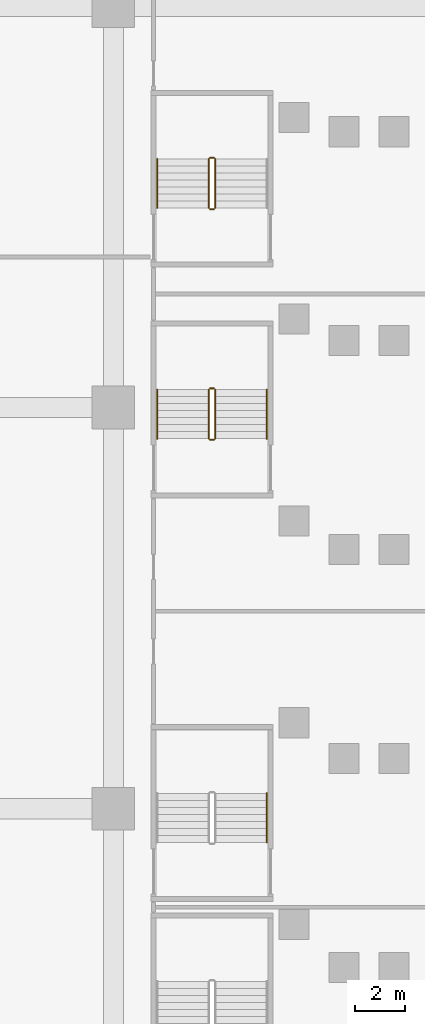
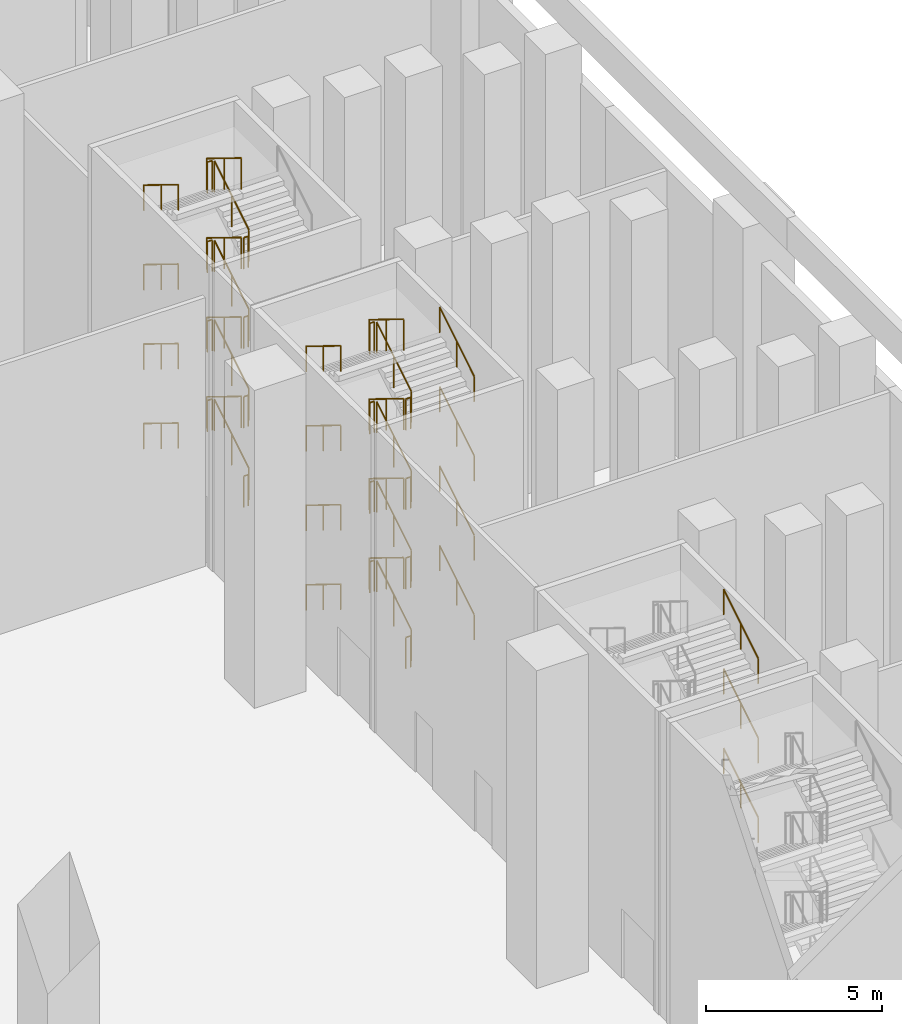
# One storey, part 28 of 31: 47 railings.
"""IFC4 building model written with IfcOpenShell, lengths in metres."""

import ifcopenshell
import ifcopenshell.guid

model = None  # the IFC model being written
_history = None  # IfcOwnerHistory: only IFC2X3 demands one
_inside = {}  # id of a spatial element -> (the spatial element, [elements in it])
_under = {}  # id of a project, library or spatial element -> (it, [spatial elements below it])
_declared = {}  # id of a project -> (the project, [libraries it declares])
_typed = {}  # id of a type object -> (the type object, [elements of that type])
_made_of = {}  # id of a material, layer set ... -> (it, [elements and type objects made of it])


def new_model(schema):
    """Start an empty IFC model of exactly this schema.

    Asked for "IFC4X3", IfcOpenShell would pick the latest addendum, in which some entities
    have other attributes; the version numbers below select the first issue.
    IFC2X3 requires an IfcOwnerHistory on every rooted entity: one is made here for all.
    """
    global model, _history
    if schema == "IFC4X3":
        model = ifcopenshell.file(schema_version=(4, 3, 0, 0))
    else:
        model = ifcopenshell.file(schema=schema)
    _inside.clear()
    _under.clear()
    _declared.clear()
    _typed.clear()
    _made_of.clear()
    _history = None
    if model.schema == "IFC2X3":
        org = make("IfcOrganization", Name="unknown")
        user = make(
            "IfcPersonAndOrganization",
            ThePerson=make("IfcPerson", FamilyName="unknown"),
            TheOrganization=org,
        )
        app = make(
            "IfcApplication",
            ApplicationDeveloper=org,
            Version="unknown",
            ApplicationFullName="unknown",
            ApplicationIdentifier="unknown",
        )
        _history = make(
            "IfcOwnerHistory",
            OwningUser=user,
            OwningApplication=app,
            ChangeAction="ADDED",
            CreationDate=0,
        )
    return model


def make(cls, **values):
    """One entity of the class cls with the attributes given. An attribute that is None is left unset."""
    return model.create_entity(
        cls, **{name: value for name, value in values.items() if value is not None}
    )


def rooted(cls, **values):
    """An entity with a GlobalId (a new one), such as an element, a storey or a relation."""
    return make(cls, GlobalId=ifcopenshell.guid.new(), OwnerHistory=_history, **values)


def si_unit(unit_type, name, prefix=None):
    """IfcSIUnit, for example si_unit("LENGTHUNIT", "METRE", prefix="MILLI")."""
    return make("IfcSIUnit", UnitType=unit_type, Prefix=prefix, Name=name)


def assignment(units):
    """IfcUnitAssignment: the units of a project."""
    return None if units is None else make("IfcUnitAssignment", Units=units)


def point(xyz):
    """IfcCartesianPoint."""
    return None if xyz is None else make("IfcCartesianPoint", Coordinates=xyz)


def direction(xyz):
    """IfcDirection."""
    return None if xyz is None else make("IfcDirection", DirectionRatios=xyz)


def frame(location, z_axis=None, x_axis=None):
    """IfcAxis2Placement3D, a coordinate frame: its origin and axes. An axis left out is left unset."""
    return make(
        "IfcAxis2Placement3D",
        Location=point(location),
        Axis=direction(z_axis),
        RefDirection=direction(x_axis),
    )


def frame_2d(location, x_axis=None):
    """IfcAxis2Placement2D, a coordinate frame in the plane: its origin and x axis."""
    return make(
        "IfcAxis2Placement2D", Location=point(location), RefDirection=direction(x_axis)
    )


def origin():
    """The frame at (0, 0, 0) with its axes left unset."""
    return frame((0.0, 0.0, 0.0))


def origin_2d():
    """The frame at (0, 0) in the plane with its x axis left unset."""
    return frame_2d((0.0, 0.0))


def place(relative_to, where):
    """IfcLocalPlacement: puts the frame where relative to a parent placement (None: the world)."""
    return make(
        "IfcLocalPlacement", PlacementRelTo=relative_to, RelativePlacement=where
    )


def context(
    kind, dimensions, precision=None, world=None, true_north=None, identifier=None
):
    """IfcGeometricRepresentationContext, for example the 3D "Model" context."""
    return make(
        "IfcGeometricRepresentationContext",
        ContextIdentifier=identifier,
        ContextType=kind,
        CoordinateSpaceDimension=dimensions,
        Precision=precision,
        WorldCoordinateSystem=world,
        TrueNorth=true_north,
    )


def subcontext(parent, identifier, kind, view, scale=None):
    """IfcGeometricRepresentationSubContext, for example "Body" below "Model"."""
    return make(
        "IfcGeometricRepresentationSubContext",
        ContextIdentifier=identifier,
        ContextType=kind,
        ParentContext=parent,
        TargetScale=scale,
        TargetView=view,
    )


def project(units=None, contexts=None):
    """IfcProject with its units and contexts."""
    return rooted(
        "IfcProject",
        Name="project",
        RepresentationContexts=contexts,
        UnitsInContext=assignment(units),
    )


def spatial(cls, under=None, at=None, **own):
    """A site, building, storey or space (cls), placed at a placement, below another one or the project."""
    s = rooted(cls, ObjectPlacement=at, **own)
    if under is not None:
        _under.setdefault(under.id(), (under, []))[1].append(s)
    return s


def profile(cls, at=None, kind="AREA", **sizes):
    """A parametric profile (cls). Its sizes go by their IFC names, for example OverallWidth=200.0."""
    return make(cls, ProfileType=kind, Position=at, **sizes)


def circle(**sizes):
    """IfcCircleProfileDef."""
    return profile("IfcCircleProfileDef", **sizes)


def extrude(swept, where, along, depth):
    """IfcExtrudedAreaSolid: the profile swept, set in the frame where, extruded along a direction by depth."""
    return make(
        "IfcExtrudedAreaSolid",
        SweptArea=swept,
        Position=where,
        ExtrudedDirection=direction(along),
        Depth=depth,
    )


def shape(context_of_items, identifier, shape_type, items):
    """IfcShapeRepresentation: the items that make up one representation, for example the "Body"."""
    return make(
        "IfcShapeRepresentation",
        ContextOfItems=context_of_items,
        RepresentationIdentifier=identifier,
        RepresentationType=shape_type,
        Items=items,
    )


def material(Name=None, Category=None):
    """IfcMaterial."""
    return make("IfcMaterial", Name=Name, Category=Category)


def made_of(thing, what):
    """Note that an element or type object is made of a material, layer set ...; save() writes the relation."""
    if what is not None:
        _made_of.setdefault(what.id(), (what, []))[1].append(thing)
    return thing


def type_object(cls, material=None, **own):
    """A type object (cls), such as IfcWallType, which elements share."""
    return made_of(rooted(cls, **own), material)


def element(
    cls,
    number,
    at=None,
    inside=None,
    cuts=None,
    type_object=None,
    material=None,
    context=None,
    identifier="Body",
    shape_type=None,
    held_by="IfcProductDefinitionShape",
    body=None,
    shapes=None,
    **own,
):
    """One element of the class cls, such as IfcWall. Its Tag is "e" and its number.

    at: its placement. inside: the storey or other place that contains it. cuts: it is an
    opening in that element (IfcRelVoidsElement). A single representation is given by context,
    identifier, shape_type and body (its items); several are given by shapes. held_by: the class
    of the entity that holds the representations. save() writes the other relations.
    """
    e = rooted(cls, Tag="e%d" % number, ObjectPlacement=at, **own)
    if body is not None:
        shapes = [shape(context, identifier, shape_type, body)]
    if shapes is not None:
        e.Representation = make(held_by, Representations=shapes)
    if inside is not None:
        _inside.setdefault(inside.id(), (inside, []))[1].append(e)
    if cuts is not None:
        rooted(
            "IfcRelVoidsElement", RelatingBuildingElement=cuts, RelatedOpeningElement=e
        )
    if type_object is not None:
        _typed.setdefault(type_object.id(), (type_object, []))[1].append(e)
    return made_of(e, material)


def aggregate(whole, parts):
    """IfcRelAggregates: a whole, such as a stair, and the parts it consists of."""
    return rooted("IfcRelAggregates", RelatingObject=whole, RelatedObjects=parts)


def save(model, path):
    """Write the relations noted so far, then the file.

    IfcRelAggregates (storeys below a building ...), IfcRelContainedInSpatialStructure (elements
    in a storey), IfcRelDefinesByType, IfcRelAssociatesMaterial and IfcRelDeclares: one each for
    every whole, place, type object, material and project.
    """
    for whole, parts in _under.values():
        aggregate(whole, parts)
    for where, things in _inside.values():
        rooted(
            "IfcRelContainedInSpatialStructure",
            RelatedElements=things,
            RelatingStructure=where,
        )
    for kind, things in _typed.values():
        rooted("IfcRelDefinesByType", RelatedObjects=things, RelatingType=kind)
    for what, things in _made_of.values():
        rooted("IfcRelAssociatesMaterial", RelatedObjects=things, RelatingMaterial=what)
    for by, libraries in _declared.values():
        rooted("IfcRelDeclares", RelatingContext=by, RelatedDefinitions=libraries)
    model.write(path)


model = new_model("IFC4")

# Units and contexts
model_context = context("Model", 3, precision=1e-05, world=origin(), true_north=direction((0.0, 1.0)))
body_context = subcontext(model_context, "Body", "Model", "MODEL_VIEW")
ifc_project = project(units=[si_unit("LENGTHUNIT", "METRE"), si_unit("AREAUNIT", "SQUARE_METRE"), si_unit("VOLUMEUNIT", "CUBIC_METRE"), si_unit("PLANEANGLEUNIT", "RADIAN"), si_unit("MASSUNIT", "GRAM", prefix="KILO")], contexts=[model_context])

# Site, building, storey
site_placement = place(None, origin())
site = spatial("IfcSite", under=ifc_project, at=site_placement, CompositionType="ELEMENT")
building_placement = place(site_placement, origin())
building = spatial("IfcBuilding", under=site, at=building_placement, Name="Calabash Gate Tower", CompositionType="ELEMENT")
storey_placement = place(building_placement, frame((0.0, 0.0, 9.0)))
storey = spatial("IfcBuildingStorey", under=building, at=storey_placement, Name="L01", CompositionType="ELEMENT", Elevation=9.0)

# Railings
ifc_material_1 = material(Name="Black powder-coated steel balusters", Category="steel")
railing_type_1 = type_object("IfcRailingType", Name="Stair guard RL1100", PredefinedType="GUARDRAIL", material=ifc_material_1)
railing_1_placement = place(storey_placement, frame((36.06005859375, -9.239990234375, 0.171875)))
element("IfcRailing", 1, at=railing_1_placement, inside=storey, type_object=railing_type_1, Name="L01 PS8 stair guard 1", PredefinedType="GUARDRAIL", context=body_context, shape_type="SweptSolid", body=[
    extrude(circle(Radius=0.02392578125, at=origin_2d()), frame((0.0, 0.0, 1.076171875), z_axis=(0.0, 0.851395084437, 0.52452493763), x_axis=(-1.0, 0.0, 0.0)), (0.0, 0.0, 1.0), 2.293701171875),
    extrude(circle(Radius=0.02099609375, at=origin_2d()), origin(), (0.0, 0.0, 1.0), 1.052001953125),
    extrude(circle(Radius=0.02099609375, at=origin_2d()), frame((0.0, 0.9765625, 0.6015625)), (0.0, 0.0, 1.0), 1.052001953125),
    extrude(circle(Radius=0.02099609375, at=origin_2d()), frame((0.0, 1.952880859375, 1.203125)), (0.0, 0.0, 1.0), 1.052001953125),
])
railing_2_placement = place(storey_placement, frame((36.010009765625, -7.237060546875, 1.375)))
element("IfcRailing", 2, at=railing_2_placement, inside=storey, type_object=railing_type_1, Name="L01 PS8 stair guard 2", PredefinedType="GUARDRAIL", context=body_context, shape_type="SweptSolid", body=[
    extrude(circle(Radius=0.02392578125, at=origin_2d()), frame((0.0, 0.0, 1.076171875), z_axis=(-1.0, 0.0, 0.0), x_axis=(0.0, -1.0, 0.0)), (0.0, 0.0, 1.0), 0.14990234375),
    extrude(circle(Radius=0.02099609375, at=origin_2d()), origin(), (0.0, 0.0, 1.0), 1.052001953125),
    extrude(circle(Radius=0.02099609375, at=origin_2d()), frame((-0.14990234375, 0.0, 0.0)), (0.0, 0.0, 1.0), 1.052001953125),
])
railing_3_placement = place(storey_placement, frame((35.81005859375, -7.287109375, 1.546875)))
element("IfcRailing", 3, at=railing_3_placement, inside=storey, type_object=railing_type_1, Name="L01 PS8 stair guard 3", PredefinedType="GUARDRAIL", context=body_context, shape_type="SweptSolid", body=[
    extrude(circle(Radius=0.02392578125, at=origin_2d()), frame((0.0, 0.0, 1.076171875), z_axis=(0.0, -0.851395084437, 0.52452493763), x_axis=(1.0, 0.0, 0.0)), (0.0, 0.0, 1.0), 2.293701171875),
    extrude(circle(Radius=0.02099609375, at=origin_2d()), origin(), (0.0, 0.0, 1.0), 1.052001953125),
    extrude(circle(Radius=0.02099609375, at=origin_2d()), frame((0.0, -0.9765625, 0.6015625)), (0.0, 0.0, 1.0), 1.052001953125),
    extrude(circle(Radius=0.02099609375, at=origin_2d()), frame((0.0, -1.952880859375, 1.203125)), (0.0, 0.0, 1.0), 1.052001953125),
])
railing_4_placement = place(storey_placement, frame((36.010009765625, -9.2900390625, 2.75)))
element("IfcRailing", 4, at=railing_4_placement, inside=storey, type_object=railing_type_1, Name="L01 PS8 stair guard 4", PredefinedType="GUARDRAIL", context=body_context, shape_type="SweptSolid", body=[
    extrude(circle(Radius=0.02392578125, at=origin_2d()), frame((0.0, 0.0, 1.076171875), z_axis=(-1.0, 0.0, 0.0), x_axis=(0.0, -1.0, 0.0)), (0.0, 0.0, 1.0), 0.14990234375),
    extrude(circle(Radius=0.02099609375, at=origin_2d()), origin(), (0.0, 0.0, 1.0), 1.052001953125),
    extrude(circle(Radius=0.02099609375, at=origin_2d()), frame((-0.14990234375, 0.0, 0.0)), (0.0, 0.0, 1.0), 1.052001953125),
])
railing_5_placement = place(storey_placement, frame((36.06005859375, -9.239990234375, 2.921875)))
element("IfcRailing", 5, at=railing_5_placement, inside=storey, type_object=railing_type_1, Name="L01 PS8 stair guard 5", PredefinedType="GUARDRAIL", context=body_context, shape_type="SweptSolid", body=[
    extrude(circle(Radius=0.02392578125, at=origin_2d()), frame((0.0, 0.0, 1.076171875), z_axis=(0.0, 0.851395084437, 0.52452493763), x_axis=(-1.0, 0.0, 0.0)), (0.0, 0.0, 1.0), 2.293701171875),
    extrude(circle(Radius=0.02099609375, at=origin_2d()), origin(), (0.0, 0.0, 1.0), 1.052001953125),
    extrude(circle(Radius=0.02099609375, at=origin_2d()), frame((0.0, 0.9765625, 0.6015625)), (0.0, 0.0, 1.0), 1.052001953125),
    extrude(circle(Radius=0.02099609375, at=origin_2d()), frame((0.0, 1.952880859375, 1.203125)), (0.0, 0.0, 1.0), 1.052001953125),
])
railing_6_placement = place(storey_placement, frame((36.010009765625, -7.237060546875, 4.125)))
element("IfcRailing", 6, at=railing_6_placement, inside=storey, type_object=railing_type_1, Name="L01 PS8 stair guard 6", PredefinedType="GUARDRAIL", context=body_context, shape_type="SweptSolid", body=[
    extrude(circle(Radius=0.02392578125, at=origin_2d()), frame((0.0, 0.0, 1.076171875), z_axis=(-1.0, 0.0, 0.0), x_axis=(0.0, -1.0, 0.0)), (0.0, 0.0, 1.0), 0.14990234375),
    extrude(circle(Radius=0.02099609375, at=origin_2d()), origin(), (0.0, 0.0, 1.0), 1.052001953125),
    extrude(circle(Radius=0.02099609375, at=origin_2d()), frame((-0.14990234375, 0.0, 0.0)), (0.0, 0.0, 1.0), 1.052001953125),
])
railing_7_placement = place(storey_placement, frame((35.81005859375, -7.287109375, 4.296875)))
element("IfcRailing", 7, at=railing_7_placement, inside=storey, type_object=railing_type_1, Name="L01 PS8 stair guard 7", PredefinedType="GUARDRAIL", context=body_context, shape_type="SweptSolid", body=[
    extrude(circle(Radius=0.02392578125, at=origin_2d()), frame((0.0, 0.0, 1.076171875), z_axis=(0.0, -0.851395084437, 0.52452493763), x_axis=(1.0, 0.0, 0.0)), (0.0, 0.0, 1.0), 2.293701171875),
    extrude(circle(Radius=0.02099609375, at=origin_2d()), origin(), (0.0, 0.0, 1.0), 1.052001953125),
    extrude(circle(Radius=0.02099609375, at=origin_2d()), frame((0.0, -0.9765625, 0.6015625)), (0.0, 0.0, 1.0), 1.052001953125),
    extrude(circle(Radius=0.02099609375, at=origin_2d()), frame((0.0, -1.952880859375, 1.203125)), (0.0, 0.0, 1.0), 1.052001953125),
])
railing_8_placement = place(storey_placement, frame((36.010009765625, -9.2900390625, 5.5)))
element("IfcRailing", 8, at=railing_8_placement, inside=storey, type_object=railing_type_1, Name="L01 PS8 stair guard 8", PredefinedType="GUARDRAIL", context=body_context, shape_type="SweptSolid", body=[
    extrude(circle(Radius=0.02392578125, at=origin_2d()), frame((0.0, 0.0, 1.076171875), z_axis=(-1.0, 0.0, 0.0), x_axis=(0.0, -1.0, 0.0)), (0.0, 0.0, 1.0), 0.14990234375),
    extrude(circle(Radius=0.02099609375, at=origin_2d()), origin(), (0.0, 0.0, 1.0), 1.052001953125),
    extrude(circle(Radius=0.02099609375, at=origin_2d()), frame((-0.14990234375, 0.0, 0.0)), (0.0, 0.0, 1.0), 1.052001953125),
])
railing_9_placement = place(storey_placement, frame((36.06005859375, -9.239990234375, 5.671875)))
element("IfcRailing", 9, at=railing_9_placement, inside=storey, type_object=railing_type_1, Name="L01 PS8 stair guard 9", PredefinedType="GUARDRAIL", context=body_context, shape_type="SweptSolid", body=[
    extrude(circle(Radius=0.02392578125, at=origin_2d()), frame((0.0, 0.0, 1.076171875), z_axis=(0.0, 0.851395084437, 0.52452493763), x_axis=(-1.0, 0.0, 0.0)), (0.0, 0.0, 1.0), 2.293701171875),
    extrude(circle(Radius=0.02099609375, at=origin_2d()), origin(), (0.0, 0.0, 1.0), 1.052001953125),
    extrude(circle(Radius=0.02099609375, at=origin_2d()), frame((0.0, 0.9765625, 0.6015625)), (0.0, 0.0, 1.0), 1.052001953125),
    extrude(circle(Radius=0.02099609375, at=origin_2d()), frame((0.0, 1.952880859375, 1.203125)), (0.0, 0.0, 1.0), 1.052001953125),
])
railing_10_placement = place(storey_placement, frame((36.010009765625, -7.237060546875, 6.875)))
element("IfcRailing", 10, at=railing_10_placement, inside=storey, type_object=railing_type_1, Name="L01 PS8 stair guard 10", PredefinedType="GUARDRAIL", context=body_context, shape_type="SweptSolid", body=[
    extrude(circle(Radius=0.02392578125, at=origin_2d()), frame((0.0, 0.0, 1.076171875), z_axis=(-1.0, 0.0, 0.0), x_axis=(0.0, -1.0, 0.0)), (0.0, 0.0, 1.0), 0.14990234375),
    extrude(circle(Radius=0.02099609375, at=origin_2d()), origin(), (0.0, 0.0, 1.0), 1.052001953125),
    extrude(circle(Radius=0.02099609375, at=origin_2d()), frame((-0.14990234375, 0.0, 0.0)), (0.0, 0.0, 1.0), 1.052001953125),
])
railing_11_placement = place(storey_placement, frame((35.81005859375, -7.287109375, 7.046875)))
element("IfcRailing", 11, at=railing_11_placement, inside=storey, type_object=railing_type_1, Name="L01 PS8 stair guard 11", PredefinedType="GUARDRAIL", context=body_context, shape_type="SweptSolid", body=[
    extrude(circle(Radius=0.02392578125, at=origin_2d()), frame((0.0, 0.0, 1.076171875), z_axis=(0.0, -0.851395084437, 0.52452493763), x_axis=(1.0, 0.0, 0.0)), (0.0, 0.0, 1.0), 2.293701171875),
    extrude(circle(Radius=0.02099609375, at=origin_2d()), origin(), (0.0, 0.0, 1.0), 1.052001953125),
    extrude(circle(Radius=0.02099609375, at=origin_2d()), frame((0.0, -0.9765625, 0.6015625)), (0.0, 0.0, 1.0), 1.052001953125),
    extrude(circle(Radius=0.02099609375, at=origin_2d()), frame((0.0, -1.952880859375, 1.203125)), (0.0, 0.0, 1.0), 1.052001953125),
])
railing_12_placement = place(storey_placement, frame((36.010009765625, -9.2900390625, 8.25)))
element("IfcRailing", 12, at=railing_12_placement, inside=storey, type_object=railing_type_1, Name="L01 PS8 stair guard 12", PredefinedType="GUARDRAIL", context=body_context, shape_type="SweptSolid", body=[
    extrude(circle(Radius=0.02392578125, at=origin_2d()), frame((0.0, 0.0, 1.076171875), z_axis=(-1.0, 0.0, 0.0), x_axis=(0.0, -1.0, 0.0)), (0.0, 0.0, 1.0), 0.14990234375),
    extrude(circle(Radius=0.02099609375, at=origin_2d()), origin(), (0.0, 0.0, 1.0), 1.052001953125),
    extrude(circle(Radius=0.02099609375, at=origin_2d()), frame((-0.14990234375, 0.0, 0.0)), (0.0, 0.0, 1.0), 1.052001953125),
])
railing_13_placement = place(storey_placement, frame((36.06005859375, -9.239990234375, 8.421875)))
element("IfcRailing", 13, at=railing_13_placement, inside=storey, type_object=railing_type_1, Name="L01 PS8 stair guard 13", PredefinedType="GUARDRAIL", context=body_context, shape_type="SweptSolid", body=[
    extrude(circle(Radius=0.02392578125, at=origin_2d()), frame((0.0, 0.0, 1.076171875), z_axis=(0.0, 0.851395084437, 0.52452493763), x_axis=(-1.0, 0.0, 0.0)), (0.0, 0.0, 1.0), 2.293701171875),
    extrude(circle(Radius=0.02099609375, at=origin_2d()), origin(), (0.0, 0.0, 1.0), 1.052001953125),
    extrude(circle(Radius=0.02099609375, at=origin_2d()), frame((0.0, 0.9765625, 0.6015625)), (0.0, 0.0, 1.0), 1.052001953125),
    extrude(circle(Radius=0.02099609375, at=origin_2d()), frame((0.0, 1.952880859375, 1.203125)), (0.0, 0.0, 1.0), 1.052001953125),
])
railing_14_placement = place(storey_placement, frame((36.010009765625, -7.237060546875, 9.625)))
element("IfcRailing", 14, at=railing_14_placement, inside=storey, type_object=railing_type_1, Name="L01 PS8 stair guard 14", PredefinedType="GUARDRAIL", context=body_context, shape_type="SweptSolid", body=[
    extrude(circle(Radius=0.02392578125, at=origin_2d()), frame((0.0, 0.0, 1.076171875), z_axis=(-1.0, 0.0, 0.0), x_axis=(0.0, -1.0, 0.0)), (0.0, 0.0, 1.0), 0.14990234375),
    extrude(circle(Radius=0.02099609375, at=origin_2d()), origin(), (0.0, 0.0, 1.0), 1.052001953125),
    extrude(circle(Radius=0.02099609375, at=origin_2d()), frame((-0.14990234375, 0.0, 0.0)), (0.0, 0.0, 1.0), 1.052001953125),
])
railing_15_placement = place(storey_placement, frame((35.81005859375, -7.287109375, 9.796875)))
element("IfcRailing", 15, at=railing_15_placement, inside=storey, type_object=railing_type_1, Name="L01 PS8 stair guard 15", PredefinedType="GUARDRAIL", context=body_context, shape_type="SweptSolid", body=[
    extrude(circle(Radius=0.02392578125, at=origin_2d()), frame((0.0, 0.0, 1.076171875), z_axis=(0.0, -0.851395084437, 0.52452493763), x_axis=(1.0, 0.0, 0.0)), (0.0, 0.0, 1.0), 2.293701171875),
    extrude(circle(Radius=0.02099609375, at=origin_2d()), origin(), (0.0, 0.0, 1.0), 1.052001953125),
    extrude(circle(Radius=0.02099609375, at=origin_2d()), frame((0.0, -0.9765625, 0.6015625)), (0.0, 0.0, 1.0), 1.052001953125),
    extrude(circle(Radius=0.02099609375, at=origin_2d()), frame((0.0, -1.952880859375, 1.203125)), (0.0, 0.0, 1.0), 1.052001953125),
])
railing_16_placement = place(storey_placement, frame((36.010009765625, -9.2900390625, 0.0)))
element("IfcRailing", 16, at=railing_16_placement, inside=storey, type_object=railing_type_1, Name="L01 PS8 stair guard 16", PredefinedType="GUARDRAIL", context=body_context, shape_type="SweptSolid", body=[
    extrude(circle(Radius=0.02392578125, at=origin_2d()), frame((0.0, 0.0, 1.076171875), z_axis=(-1.0, 0.0, 0.0), x_axis=(0.0, -1.0, 0.0)), (0.0, 0.0, 1.0), 0.14990234375),
    extrude(circle(Radius=0.02099609375, at=origin_2d()), origin(), (0.0, 0.0, 1.0), 1.052001953125),
    extrude(circle(Radius=0.02099609375, at=origin_2d()), frame((-0.14990234375, 0.0, 0.0)), (0.0, 0.0, 1.0), 1.052001953125),
])
railing_17_placement = place(storey_placement, frame((36.06005859375, -0.0400390625, 0.171875)))
element("IfcRailing", 17, at=railing_17_placement, inside=storey, type_object=railing_type_1, Name="L01 PS9 stair guard 1", PredefinedType="GUARDRAIL", context=body_context, shape_type="SweptSolid", body=[
    extrude(circle(Radius=0.02392578125, at=origin_2d()), frame((0.0, 0.0, 1.076171875), z_axis=(0.0, 0.851424364277, 0.524477408394), x_axis=(-1.0, 0.0, 0.0)), (0.0, 0.0, 1.0), 2.2939453125),
    extrude(circle(Radius=0.02099609375, at=origin_2d()), origin(), (0.0, 0.0, 1.0), 1.052001953125),
    extrude(circle(Radius=0.02099609375, at=origin_2d()), frame((0.0, 0.9765625, 0.6015625)), (0.0, 0.0, 1.0), 1.052001953125),
    extrude(circle(Radius=0.02099609375, at=origin_2d()), frame((0.0, 1.953125, 1.203125)), (0.0, 0.0, 1.0), 1.052001953125),
])
railing_18_placement = place(storey_placement, frame((36.010009765625, 1.962890625, 1.375)))
element("IfcRailing", 18, at=railing_18_placement, inside=storey, type_object=railing_type_1, Name="L01 PS9 stair guard 2", PredefinedType="GUARDRAIL", context=body_context, shape_type="SweptSolid", body=[
    extrude(circle(Radius=0.02392578125, at=origin_2d()), frame((0.0, 0.0, 1.076171875), z_axis=(-1.0, 0.0, 0.0), x_axis=(0.0, -1.0, 0.0)), (0.0, 0.0, 1.0), 0.14990234375),
    extrude(circle(Radius=0.02099609375, at=origin_2d()), origin(), (0.0, 0.0, 1.0), 1.052001953125),
    extrude(circle(Radius=0.02099609375, at=origin_2d()), frame((-0.14990234375, 0.0, 0.0)), (0.0, 0.0, 1.0), 1.052001953125),
])
railing_19_placement = place(storey_placement, frame((35.81005859375, 1.9130859375, 1.546875)))
element("IfcRailing", 19, at=railing_19_placement, inside=storey, type_object=railing_type_1, Name="L01 PS9 stair guard 3", PredefinedType="GUARDRAIL", context=body_context, shape_type="SweptSolid", body=[
    extrude(circle(Radius=0.02392578125, at=origin_2d()), frame((0.0, 0.0, 1.076171875), z_axis=(0.0, -0.851424364277, 0.524477408394), x_axis=(1.0, 0.0, 0.0)), (0.0, 0.0, 1.0), 2.2939453125),
    extrude(circle(Radius=0.02099609375, at=origin_2d()), origin(), (0.0, 0.0, 1.0), 1.052001953125),
    extrude(circle(Radius=0.02099609375, at=origin_2d()), frame((0.0, -0.9765625, 0.6015625)), (0.0, 0.0, 1.0), 1.052001953125),
    extrude(circle(Radius=0.02099609375, at=origin_2d()), frame((0.0, -1.953125, 1.203125)), (0.0, 0.0, 1.0), 1.052001953125),
])
railing_20_placement = place(storey_placement, frame((36.010009765625, -0.090087890625, 2.75)))
element("IfcRailing", 20, at=railing_20_placement, inside=storey, type_object=railing_type_1, Name="L01 PS9 stair guard 4", PredefinedType="GUARDRAIL", context=body_context, shape_type="SweptSolid", body=[
    extrude(circle(Radius=0.02392578125, at=origin_2d()), frame((0.0, 0.0, 1.076171875), z_axis=(-1.0, 0.0, 0.0), x_axis=(0.0, -1.0, 0.0)), (0.0, 0.0, 1.0), 0.14990234375),
    extrude(circle(Radius=0.02099609375, at=origin_2d()), origin(), (0.0, 0.0, 1.0), 1.052001953125),
    extrude(circle(Radius=0.02099609375, at=origin_2d()), frame((-0.14990234375, 0.0, 0.0)), (0.0, 0.0, 1.0), 1.052001953125),
])
railing_21_placement = place(storey_placement, frame((36.06005859375, -0.0400390625, 2.921875)))
element("IfcRailing", 21, at=railing_21_placement, inside=storey, type_object=railing_type_1, Name="L01 PS9 stair guard 5", PredefinedType="GUARDRAIL", context=body_context, shape_type="SweptSolid", body=[
    extrude(circle(Radius=0.02392578125, at=origin_2d()), frame((0.0, 0.0, 1.076171875), z_axis=(0.0, 0.851424364277, 0.524477408394), x_axis=(-1.0, 0.0, 0.0)), (0.0, 0.0, 1.0), 2.2939453125),
    extrude(circle(Radius=0.02099609375, at=origin_2d()), origin(), (0.0, 0.0, 1.0), 1.052001953125),
    extrude(circle(Radius=0.02099609375, at=origin_2d()), frame((0.0, 0.9765625, 0.6015625)), (0.0, 0.0, 1.0), 1.052001953125),
    extrude(circle(Radius=0.02099609375, at=origin_2d()), frame((0.0, 1.953125, 1.203125)), (0.0, 0.0, 1.0), 1.052001953125),
])
railing_22_placement = place(storey_placement, frame((36.010009765625, 1.962890625, 4.125)))
element("IfcRailing", 22, at=railing_22_placement, inside=storey, type_object=railing_type_1, Name="L01 PS9 stair guard 6", PredefinedType="GUARDRAIL", context=body_context, shape_type="SweptSolid", body=[
    extrude(circle(Radius=0.02392578125, at=origin_2d()), frame((0.0, 0.0, 1.076171875), z_axis=(-1.0, 0.0, 0.0), x_axis=(0.0, -1.0, 0.0)), (0.0, 0.0, 1.0), 0.14990234375),
    extrude(circle(Radius=0.02099609375, at=origin_2d()), origin(), (0.0, 0.0, 1.0), 1.052001953125),
    extrude(circle(Radius=0.02099609375, at=origin_2d()), frame((-0.14990234375, 0.0, 0.0)), (0.0, 0.0, 1.0), 1.052001953125),
])
railing_23_placement = place(storey_placement, frame((35.81005859375, 1.9130859375, 4.296875)))
element("IfcRailing", 23, at=railing_23_placement, inside=storey, type_object=railing_type_1, Name="L01 PS9 stair guard 7", PredefinedType="GUARDRAIL", context=body_context, shape_type="SweptSolid", body=[
    extrude(circle(Radius=0.02392578125, at=origin_2d()), frame((0.0, 0.0, 1.076171875), z_axis=(0.0, -0.851424364277, 0.524477408394), x_axis=(1.0, 0.0, 0.0)), (0.0, 0.0, 1.0), 2.2939453125),
    extrude(circle(Radius=0.02099609375, at=origin_2d()), origin(), (0.0, 0.0, 1.0), 1.052001953125),
    extrude(circle(Radius=0.02099609375, at=origin_2d()), frame((0.0, -0.9765625, 0.6015625)), (0.0, 0.0, 1.0), 1.052001953125),
    extrude(circle(Radius=0.02099609375, at=origin_2d()), frame((0.0, -1.953125, 1.203125)), (0.0, 0.0, 1.0), 1.052001953125),
])
railing_24_placement = place(storey_placement, frame((36.010009765625, -0.090087890625, 5.5)))
element("IfcRailing", 24, at=railing_24_placement, inside=storey, type_object=railing_type_1, Name="L01 PS9 stair guard 8", PredefinedType="GUARDRAIL", context=body_context, shape_type="SweptSolid", body=[
    extrude(circle(Radius=0.02392578125, at=origin_2d()), frame((0.0, 0.0, 1.076171875), z_axis=(-1.0, 0.0, 0.0), x_axis=(0.0, -1.0, 0.0)), (0.0, 0.0, 1.0), 0.14990234375),
    extrude(circle(Radius=0.02099609375, at=origin_2d()), origin(), (0.0, 0.0, 1.0), 1.052001953125),
    extrude(circle(Radius=0.02099609375, at=origin_2d()), frame((-0.14990234375, 0.0, 0.0)), (0.0, 0.0, 1.0), 1.052001953125),
])
railing_25_placement = place(storey_placement, frame((36.06005859375, -0.0400390625, 5.671875)))
element("IfcRailing", 25, at=railing_25_placement, inside=storey, type_object=railing_type_1, Name="L01 PS9 stair guard 9", PredefinedType="GUARDRAIL", context=body_context, shape_type="SweptSolid", body=[
    extrude(circle(Radius=0.02392578125, at=origin_2d()), frame((0.0, 0.0, 1.076171875), z_axis=(0.0, 0.851424364277, 0.524477408394), x_axis=(-1.0, 0.0, 0.0)), (0.0, 0.0, 1.0), 2.2939453125),
    extrude(circle(Radius=0.02099609375, at=origin_2d()), origin(), (0.0, 0.0, 1.0), 1.052001953125),
    extrude(circle(Radius=0.02099609375, at=origin_2d()), frame((0.0, 0.9765625, 0.6015625)), (0.0, 0.0, 1.0), 1.052001953125),
    extrude(circle(Radius=0.02099609375, at=origin_2d()), frame((0.0, 1.953125, 1.203125)), (0.0, 0.0, 1.0), 1.052001953125),
])
railing_26_placement = place(storey_placement, frame((36.010009765625, 1.962890625, 6.875)))
element("IfcRailing", 26, at=railing_26_placement, inside=storey, type_object=railing_type_1, Name="L01 PS9 stair guard 10", PredefinedType="GUARDRAIL", context=body_context, shape_type="SweptSolid", body=[
    extrude(circle(Radius=0.02392578125, at=origin_2d()), frame((0.0, 0.0, 1.076171875), z_axis=(-1.0, 0.0, 0.0), x_axis=(0.0, -1.0, 0.0)), (0.0, 0.0, 1.0), 0.14990234375),
    extrude(circle(Radius=0.02099609375, at=origin_2d()), origin(), (0.0, 0.0, 1.0), 1.052001953125),
    extrude(circle(Radius=0.02099609375, at=origin_2d()), frame((-0.14990234375, 0.0, 0.0)), (0.0, 0.0, 1.0), 1.052001953125),
])
railing_27_placement = place(storey_placement, frame((35.81005859375, 1.9130859375, 7.046875)))
element("IfcRailing", 27, at=railing_27_placement, inside=storey, type_object=railing_type_1, Name="L01 PS9 stair guard 11", PredefinedType="GUARDRAIL", context=body_context, shape_type="SweptSolid", body=[
    extrude(circle(Radius=0.02392578125, at=origin_2d()), frame((0.0, 0.0, 1.076171875), z_axis=(0.0, -0.851424364277, 0.524477408394), x_axis=(1.0, 0.0, 0.0)), (0.0, 0.0, 1.0), 2.2939453125),
    extrude(circle(Radius=0.02099609375, at=origin_2d()), origin(), (0.0, 0.0, 1.0), 1.052001953125),
    extrude(circle(Radius=0.02099609375, at=origin_2d()), frame((0.0, -0.9765625, 0.6015625)), (0.0, 0.0, 1.0), 1.052001953125),
    extrude(circle(Radius=0.02099609375, at=origin_2d()), frame((0.0, -1.953125, 1.203125)), (0.0, 0.0, 1.0), 1.052001953125),
])
railing_28_placement = place(storey_placement, frame((36.010009765625, -0.090087890625, 8.25)))
element("IfcRailing", 28, at=railing_28_placement, inside=storey, type_object=railing_type_1, Name="L01 PS9 stair guard 12", PredefinedType="GUARDRAIL", context=body_context, shape_type="SweptSolid", body=[
    extrude(circle(Radius=0.02392578125, at=origin_2d()), frame((0.0, 0.0, 1.076171875), z_axis=(-1.0, 0.0, 0.0), x_axis=(0.0, -1.0, 0.0)), (0.0, 0.0, 1.0), 0.14990234375),
    extrude(circle(Radius=0.02099609375, at=origin_2d()), origin(), (0.0, 0.0, 1.0), 1.052001953125),
    extrude(circle(Radius=0.02099609375, at=origin_2d()), frame((-0.14990234375, 0.0, 0.0)), (0.0, 0.0, 1.0), 1.052001953125),
])
railing_29_placement = place(storey_placement, frame((36.06005859375, -0.0400390625, 8.421875)))
element("IfcRailing", 29, at=railing_29_placement, inside=storey, type_object=railing_type_1, Name="L01 PS9 stair guard 13", PredefinedType="GUARDRAIL", context=body_context, shape_type="SweptSolid", body=[
    extrude(circle(Radius=0.02392578125, at=origin_2d()), frame((0.0, 0.0, 1.076171875), z_axis=(0.0, 0.851424364277, 0.524477408394), x_axis=(-1.0, 0.0, 0.0)), (0.0, 0.0, 1.0), 2.2939453125),
    extrude(circle(Radius=0.02099609375, at=origin_2d()), origin(), (0.0, 0.0, 1.0), 1.052001953125),
    extrude(circle(Radius=0.02099609375, at=origin_2d()), frame((0.0, 0.9765625, 0.6015625)), (0.0, 0.0, 1.0), 1.052001953125),
    extrude(circle(Radius=0.02099609375, at=origin_2d()), frame((0.0, 1.953125, 1.203125)), (0.0, 0.0, 1.0), 1.052001953125),
])
railing_30_placement = place(storey_placement, frame((36.010009765625, 1.962890625, 9.625)))
element("IfcRailing", 30, at=railing_30_placement, inside=storey, type_object=railing_type_1, Name="L01 PS9 stair guard 14", PredefinedType="GUARDRAIL", context=body_context, shape_type="SweptSolid", body=[
    extrude(circle(Radius=0.02392578125, at=origin_2d()), frame((0.0, 0.0, 1.076171875), z_axis=(-1.0, 0.0, 0.0), x_axis=(0.0, -1.0, 0.0)), (0.0, 0.0, 1.0), 0.14990234375),
    extrude(circle(Radius=0.02099609375, at=origin_2d()), origin(), (0.0, 0.0, 1.0), 1.052001953125),
    extrude(circle(Radius=0.02099609375, at=origin_2d()), frame((-0.14990234375, 0.0, 0.0)), (0.0, 0.0, 1.0), 1.052001953125),
])
railing_31_placement = place(storey_placement, frame((35.81005859375, 1.9130859375, 9.796875)))
element("IfcRailing", 31, at=railing_31_placement, inside=storey, type_object=railing_type_1, Name="L01 PS9 stair guard 15", PredefinedType="GUARDRAIL", context=body_context, shape_type="SweptSolid", body=[
    extrude(circle(Radius=0.02392578125, at=origin_2d()), frame((0.0, 0.0, 1.076171875), z_axis=(0.0, -0.851424364277, 0.524477408394), x_axis=(1.0, 0.0, 0.0)), (0.0, 0.0, 1.0), 2.2939453125),
    extrude(circle(Radius=0.02099609375, at=origin_2d()), origin(), (0.0, 0.0, 1.0), 1.052001953125),
    extrude(circle(Radius=0.02099609375, at=origin_2d()), frame((0.0, -0.9765625, 0.6015625)), (0.0, 0.0, 1.0), 1.052001953125),
    extrude(circle(Radius=0.02099609375, at=origin_2d()), frame((0.0, -1.953125, 1.203125)), (0.0, 0.0, 1.0), 1.052001953125),
])
railing_32_placement = place(storey_placement, frame((36.010009765625, -0.090087890625, 0.0)))
element("IfcRailing", 32, at=railing_32_placement, inside=storey, type_object=railing_type_1, Name="L01 PS9 stair guard 16", PredefinedType="GUARDRAIL", context=body_context, shape_type="SweptSolid", body=[
    extrude(circle(Radius=0.02392578125, at=origin_2d()), frame((0.0, 0.0, 1.076171875), z_axis=(-1.0, 0.0, 0.0), x_axis=(0.0, -1.0, 0.0)), (0.0, 0.0, 1.0), 0.14990234375),
    extrude(circle(Radius=0.02099609375, at=origin_2d()), origin(), (0.0, 0.0, 1.0), 1.052001953125),
    extrude(circle(Radius=0.02099609375, at=origin_2d()), frame((-0.14990234375, 0.0, 0.0)), (0.0, 0.0, 1.0), 1.052001953125),
])
ifc_material_2 = material(Name="Black powder-coated steel tube 48 mm", Category="steel")
railing_type_2 = type_object("IfcRailingType", Name="Stair handrail RL900", PredefinedType="HANDRAIL", material=ifc_material_2)
for number, where, name in (
    (33, (38.1201171875, -25.340087890625, 2.921875), "L01 PS7 stair handrail 3"),
    (34, (38.1201171875, -25.340087890625, 5.671875), "L01 PS7 stair handrail 5"),
    (35, (38.1201171875, -25.340087890625, 8.421875), "L01 PS7 stair handrail 7"),
):
    element("IfcRailing", number, at=place(storey_placement, frame(where)), inside=storey, type_object=railing_type_2, Name=name, PredefinedType="HANDRAIL", context=body_context, shape_type="SweptSolid", body=[
        extrude(circle(Radius=0.02392578125, at=origin_2d()), frame((0.0, 0.0, 0.8759765625), z_axis=(0.0, 0.851424364277, 0.524477408394), x_axis=(-1.0, 0.0, 0.0)), (0.0, 0.0, 1.0), 2.2939453125),
        extrude(circle(Radius=0.02099609375, at=origin_2d()), origin(), (0.0, 0.0, 1.0), 0.851806640625),
        extrude(circle(Radius=0.02099609375, at=origin_2d()), frame((0.0, 0.9765625, 0.6015625)), (0.0, 0.0, 1.0), 0.851806640625),
        extrude(circle(Radius=0.02099609375, at=origin_2d()), frame((0.0, 1.953125, 1.203125)), (0.0, 0.0, 1.0), 0.851806640625),
    ])
railing_33_placement = place(storey_placement, frame((38.1201171875, -9.239990234375, 0.171875)))
element("IfcRailing", 36, at=railing_33_placement, inside=storey, type_object=railing_type_2, Name="L01 PS8 stair handrail 1", PredefinedType="HANDRAIL", context=body_context, shape_type="SweptSolid", body=[
    extrude(circle(Radius=0.02392578125, at=origin_2d()), frame((0.0, 0.0, 0.8759765625), z_axis=(0.0, 0.851395084437, 0.52452493763), x_axis=(-1.0, 0.0, 0.0)), (0.0, 0.0, 1.0), 2.293701171875),
    extrude(circle(Radius=0.02099609375, at=origin_2d()), origin(), (0.0, 0.0, 1.0), 0.851806640625),
    extrude(circle(Radius=0.02099609375, at=origin_2d()), frame((0.0, 0.9765625, 0.6015625)), (0.0, 0.0, 1.0), 0.851806640625),
    extrude(circle(Radius=0.02099609375, at=origin_2d()), frame((0.0, 1.952880859375, 1.203125)), (0.0, 0.0, 1.0), 0.851806640625),
])
railing_34_placement = place(storey_placement, frame((33.75, -7.287109375, 1.546875)))
element("IfcRailing", 37, at=railing_34_placement, inside=storey, type_object=railing_type_2, Name="L01 PS8 stair handrail 2", PredefinedType="HANDRAIL", context=body_context, shape_type="SweptSolid", body=[
    extrude(circle(Radius=0.02392578125, at=origin_2d()), frame((0.0, 0.0, 0.8759765625), z_axis=(0.0, -0.851395084437, 0.52452493763), x_axis=(1.0, 0.0, 0.0)), (0.0, 0.0, 1.0), 2.293701171875),
    extrude(circle(Radius=0.02099609375, at=origin_2d()), origin(), (0.0, 0.0, 1.0), 0.851806640625),
    extrude(circle(Radius=0.02099609375, at=origin_2d()), frame((0.0, -0.9765625, 0.6015625)), (0.0, 0.0, 1.0), 0.851806640625),
    extrude(circle(Radius=0.02099609375, at=origin_2d()), frame((0.0, -1.952880859375, 1.203125)), (0.0, 0.0, 1.0), 0.851806640625),
])
railing_35_placement = place(storey_placement, frame((38.1201171875, -9.239990234375, 2.921875)))
element("IfcRailing", 38, at=railing_35_placement, inside=storey, type_object=railing_type_2, Name="L01 PS8 stair handrail 3", PredefinedType="HANDRAIL", context=body_context, shape_type="SweptSolid", body=[
    extrude(circle(Radius=0.02392578125, at=origin_2d()), frame((0.0, 0.0, 0.8759765625), z_axis=(0.0, 0.851395084437, 0.52452493763), x_axis=(-1.0, 0.0, 0.0)), (0.0, 0.0, 1.0), 2.293701171875),
    extrude(circle(Radius=0.02099609375, at=origin_2d()), origin(), (0.0, 0.0, 1.0), 0.851806640625),
    extrude(circle(Radius=0.02099609375, at=origin_2d()), frame((0.0, 0.9765625, 0.6015625)), (0.0, 0.0, 1.0), 0.851806640625),
    extrude(circle(Radius=0.02099609375, at=origin_2d()), frame((0.0, 1.952880859375, 1.203125)), (0.0, 0.0, 1.0), 0.851806640625),
])
railing_36_placement = place(storey_placement, frame((33.75, -7.287109375, 4.296875)))
element("IfcRailing", 39, at=railing_36_placement, inside=storey, type_object=railing_type_2, Name="L01 PS8 stair handrail 4", PredefinedType="HANDRAIL", context=body_context, shape_type="SweptSolid", body=[
    extrude(circle(Radius=0.02392578125, at=origin_2d()), frame((0.0, 0.0, 0.8759765625), z_axis=(0.0, -0.851395084437, 0.52452493763), x_axis=(1.0, 0.0, 0.0)), (0.0, 0.0, 1.0), 2.293701171875),
    extrude(circle(Radius=0.02099609375, at=origin_2d()), origin(), (0.0, 0.0, 1.0), 0.851806640625),
    extrude(circle(Radius=0.02099609375, at=origin_2d()), frame((0.0, -0.9765625, 0.6015625)), (0.0, 0.0, 1.0), 0.851806640625),
    extrude(circle(Radius=0.02099609375, at=origin_2d()), frame((0.0, -1.952880859375, 1.203125)), (0.0, 0.0, 1.0), 0.851806640625),
])
railing_37_placement = place(storey_placement, frame((38.1201171875, -9.239990234375, 5.671875)))
element("IfcRailing", 40, at=railing_37_placement, inside=storey, type_object=railing_type_2, Name="L01 PS8 stair handrail 5", PredefinedType="HANDRAIL", context=body_context, shape_type="SweptSolid", body=[
    extrude(circle(Radius=0.02392578125, at=origin_2d()), frame((0.0, 0.0, 0.8759765625), z_axis=(0.0, 0.851395084437, 0.52452493763), x_axis=(-1.0, 0.0, 0.0)), (0.0, 0.0, 1.0), 2.293701171875),
    extrude(circle(Radius=0.02099609375, at=origin_2d()), origin(), (0.0, 0.0, 1.0), 0.851806640625),
    extrude(circle(Radius=0.02099609375, at=origin_2d()), frame((0.0, 0.9765625, 0.6015625)), (0.0, 0.0, 1.0), 0.851806640625),
    extrude(circle(Radius=0.02099609375, at=origin_2d()), frame((0.0, 1.952880859375, 1.203125)), (0.0, 0.0, 1.0), 0.851806640625),
])
railing_38_placement = place(storey_placement, frame((33.75, -7.287109375, 7.046875)))
element("IfcRailing", 41, at=railing_38_placement, inside=storey, type_object=railing_type_2, Name="L01 PS8 stair handrail 6", PredefinedType="HANDRAIL", context=body_context, shape_type="SweptSolid", body=[
    extrude(circle(Radius=0.02392578125, at=origin_2d()), frame((0.0, 0.0, 0.8759765625), z_axis=(0.0, -0.851395084437, 0.52452493763), x_axis=(1.0, 0.0, 0.0)), (0.0, 0.0, 1.0), 2.293701171875),
    extrude(circle(Radius=0.02099609375, at=origin_2d()), origin(), (0.0, 0.0, 1.0), 0.851806640625),
    extrude(circle(Radius=0.02099609375, at=origin_2d()), frame((0.0, -0.9765625, 0.6015625)), (0.0, 0.0, 1.0), 0.851806640625),
    extrude(circle(Radius=0.02099609375, at=origin_2d()), frame((0.0, -1.952880859375, 1.203125)), (0.0, 0.0, 1.0), 0.851806640625),
])
railing_39_placement = place(storey_placement, frame((38.1201171875, -9.239990234375, 8.421875)))
element("IfcRailing", 42, at=railing_39_placement, inside=storey, type_object=railing_type_2, Name="L01 PS8 stair handrail 7", PredefinedType="HANDRAIL", context=body_context, shape_type="SweptSolid", body=[
    extrude(circle(Radius=0.02392578125, at=origin_2d()), frame((0.0, 0.0, 0.8759765625), z_axis=(0.0, 0.851395084437, 0.52452493763), x_axis=(-1.0, 0.0, 0.0)), (0.0, 0.0, 1.0), 2.293701171875),
    extrude(circle(Radius=0.02099609375, at=origin_2d()), origin(), (0.0, 0.0, 1.0), 0.851806640625),
    extrude(circle(Radius=0.02099609375, at=origin_2d()), frame((0.0, 0.9765625, 0.6015625)), (0.0, 0.0, 1.0), 0.851806640625),
    extrude(circle(Radius=0.02099609375, at=origin_2d()), frame((0.0, 1.952880859375, 1.203125)), (0.0, 0.0, 1.0), 0.851806640625),
])
railing_40_placement = place(storey_placement, frame((33.75, -7.287109375, 9.796875)))
element("IfcRailing", 43, at=railing_40_placement, inside=storey, type_object=railing_type_2, Name="L01 PS8 stair handrail 8", PredefinedType="HANDRAIL", context=body_context, shape_type="SweptSolid", body=[
    extrude(circle(Radius=0.02392578125, at=origin_2d()), frame((0.0, 0.0, 0.8759765625), z_axis=(0.0, -0.851395084437, 0.52452493763), x_axis=(1.0, 0.0, 0.0)), (0.0, 0.0, 1.0), 2.293701171875),
    extrude(circle(Radius=0.02099609375, at=origin_2d()), origin(), (0.0, 0.0, 1.0), 0.851806640625),
    extrude(circle(Radius=0.02099609375, at=origin_2d()), frame((0.0, -0.9765625, 0.6015625)), (0.0, 0.0, 1.0), 0.851806640625),
    extrude(circle(Radius=0.02099609375, at=origin_2d()), frame((0.0, -1.952880859375, 1.203125)), (0.0, 0.0, 1.0), 0.851806640625),
])
for number, where, name in (
    (44, (33.75, 1.9130859375, 1.546875), "L01 PS9 stair handrail 2"),
    (45, (33.75, 1.9130859375, 4.296875), "L01 PS9 stair handrail 4"),
    (46, (33.75, 1.9130859375, 7.046875), "L01 PS9 stair handrail 6"),
    (47, (33.75, 1.9130859375, 9.796875), "L01 PS9 stair handrail 8"),
):
    element("IfcRailing", number, at=place(storey_placement, frame(where)), inside=storey, type_object=railing_type_2, Name=name, PredefinedType="HANDRAIL", context=body_context, shape_type="SweptSolid", body=[
        extrude(circle(Radius=0.02392578125, at=origin_2d()), frame((0.0, 0.0, 0.8759765625), z_axis=(0.0, -0.851424364277, 0.524477408394), x_axis=(1.0, 0.0, 0.0)), (0.0, 0.0, 1.0), 2.2939453125),
        extrude(circle(Radius=0.02099609375, at=origin_2d()), origin(), (0.0, 0.0, 1.0), 0.851806640625),
        extrude(circle(Radius=0.02099609375, at=origin_2d()), frame((0.0, -0.9765625, 0.6015625)), (0.0, 0.0, 1.0), 0.851806640625),
        extrude(circle(Radius=0.02099609375, at=origin_2d()), frame((0.0, -1.953125, 1.203125)), (0.0, 0.0, 1.0), 0.851806640625),
    ])

save(model, "model.ifc")
